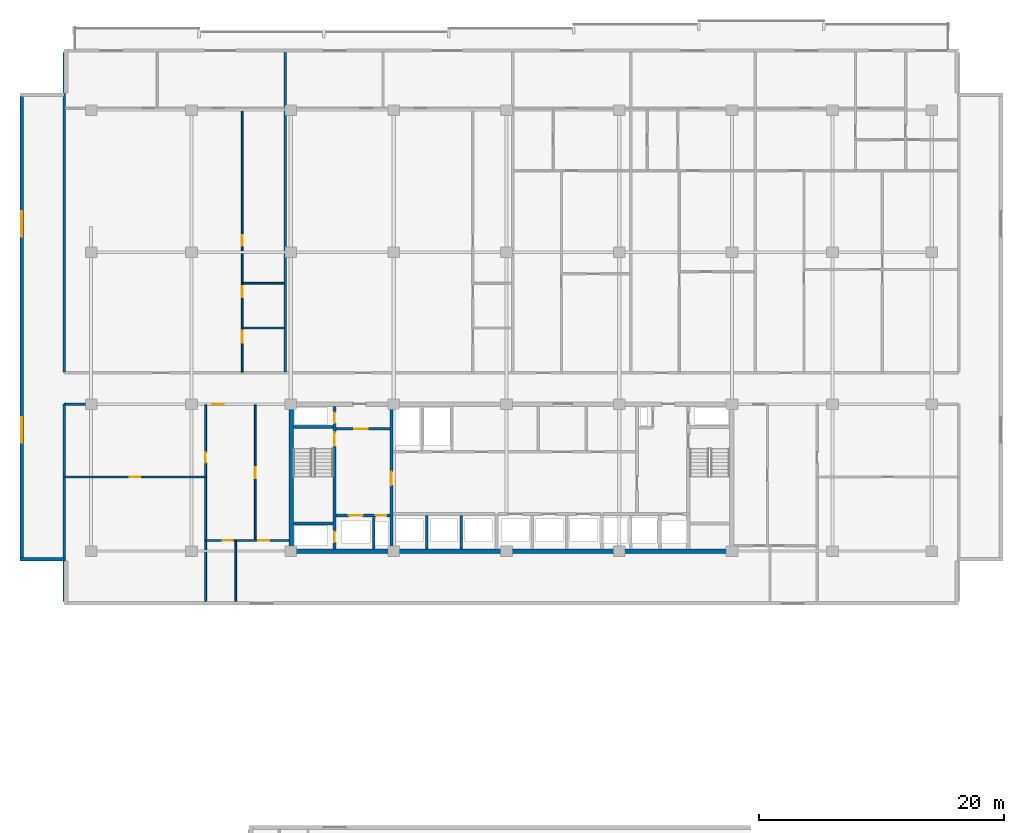
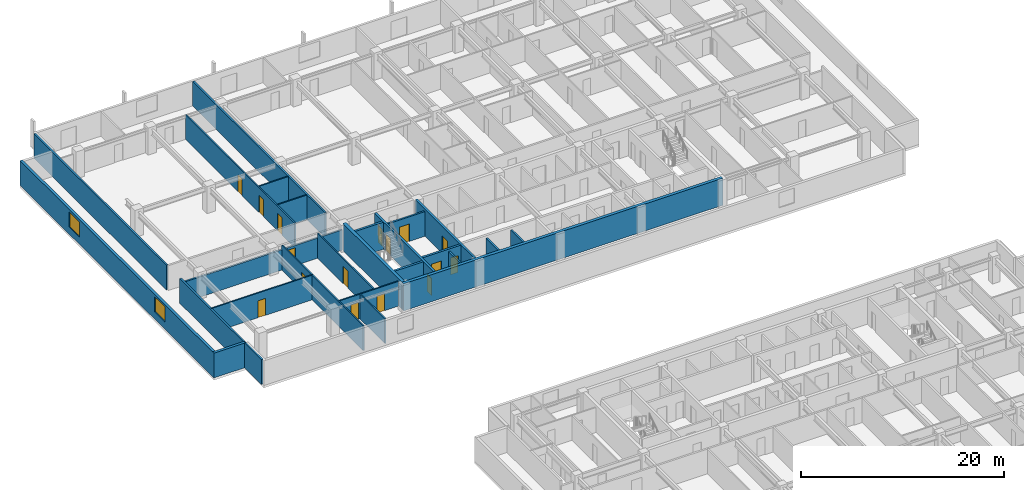
# One storey, part 10 of 21: 25 walls, 16 doors, 2 windows, 18 openings.
"""IFC4 building model written with IfcOpenShell, lengths in metres."""

from ifc_helpers import new_model, si_unit, direction, frame, frame_2d, origin, place, context, subcontext, project, spatial, rectangle, extrude, material, layer, layer_set, type_object, element, fill, save


model = new_model("IFC4")

# Units and contexts
model_context = context("Model", 3, precision=1e-05, world=origin(), true_north=direction((0.0, 1.0)))
body_context = subcontext(model_context, "Body", "Model", "MODEL_VIEW")
ifc_project = project(units=[si_unit("LENGTHUNIT", "METRE"), si_unit("AREAUNIT", "SQUARE_METRE"), si_unit("VOLUMEUNIT", "CUBIC_METRE"), si_unit("PLANEANGLEUNIT", "RADIAN"), si_unit("MASSUNIT", "GRAM", prefix="KILO")], contexts=[model_context])

# Site, building, storey
site_placement = place(None, origin())
site = spatial("IfcSite", under=ifc_project, at=site_placement, CompositionType="ELEMENT")
building_placement = place(site_placement, origin())
building = spatial("IfcBuilding", under=site, at=building_placement, Name="Korimba Cascade Residences", CompositionType="ELEMENT")
storey_placement = place(building_placement, frame((0.0, 0.0, 97.050048828125)))
storey = spatial("IfcBuildingStorey", under=building, at=storey_placement, Name="L27", CompositionType="ELEMENT", Elevation=97.050048828125)

# Wall, openings, windows
ifc_material_1 = material(Name="Precast concrete C40/50", Category="concrete")
ifc_layer_1 = layer(ifc_material_1, 0.300048828125)
ifc_layer_set_1 = layer_set([ifc_layer_1], Name="Precast concrete C40/50")
wall_type_1 = type_object("IfcWallType", Name="EW-STONE-300", PredefinedType="STANDARD", material=ifc_layer_set_1)
wall_1_placement = place(storey_placement, frame((54.14990234375, 92.60009765625, 0.0), z_axis=(0.0, 0.0, 1.0), x_axis=(0.0, -1.0, 0.0)))
wall_1 = element("IfcWall", 1, at=wall_1_placement, inside=storey, type_object=wall_type_1, Name="L27 T1 Perimeter Stone Wall E09", PredefinedType="STANDARD", context=body_context, shape_type="SweptSolid", body=[
    extrude(rectangle(XDim=38.2001953125, YDim=0.300048828125, at=frame_2d((19.10009765625, 0.0))), origin(), (0.0, 0.0, 1.0), 2.969970703125),
])
opening_1_placement = place(wall_1_placement, frame((9.64599609375, 0.0, 0.85009765625)))
opening_1 = element("IfcOpeningElement", 2, at=opening_1_placement, cuts=wall_1, Name="Opening W-03", PredefinedType="OPENING", context=body_context, shape_type="SweptSolid", body=[
    extrude(rectangle(XDim=2.10009765625, YDim=1.85009765625, at=frame_2d((1.050048828125, 0.925048828125))), frame((0.0, 0.16015625, 0.0), z_axis=(0.0, -1.0, 0.0), x_axis=(1.0, 0.0, 0.0)), (0.0, 0.0, 1.0), 0.320068359375),
])
opening_2_placement = place(wall_1_placement, frame((26.4541015625, 0.0, 0.85009765625)))
opening_2 = element("IfcOpeningElement", 3, at=opening_2_placement, cuts=wall_1, Name="Opening W-03", PredefinedType="OPENING", context=body_context, shape_type="SweptSolid", body=[
    extrude(rectangle(XDim=2.10009765625, YDim=1.85009765625, at=frame_2d((1.050048828125, 0.925048828125))), frame((0.0, 0.16015625, 0.0), z_axis=(0.0, -1.0, 0.0), x_axis=(1.0, 0.0, 0.0)), (0.0, 0.0, 1.0), 0.320068359375),
])
ifc_material_2 = material(Name="Double-Glazed Aluminium Window", Category="aluminium")
window_type = type_object("IfcWindowType", Name="WIN-CRN-2100", PartitioningType="DOUBLE_PANEL_HORIZONTAL", PredefinedType="WINDOW", material=ifc_material_2)
window_1_placement = place(opening_1_placement, origin())
window_1 = element("IfcWindow", 4, at=window_1_placement, inside=storey, type_object=window_type, Name="L27 T1 End View Window 9.1", OverallHeight=1.85009765625, OverallWidth=2.10009765625, PartitioningType="DOUBLE_PANEL_HORIZONTAL", PredefinedType="WINDOW", context=body_context, shape_type="SweptSolid", body=[
    extrude(rectangle(XDim=2.10009765625, YDim=1.85009765625, at=frame_2d((1.050048828125, 0.925048828125))), frame((0.0, 0.030029296875, 0.0), z_axis=(0.0, -1.0, 0.0), x_axis=(1.0, 0.0, 0.0)), (0.0, 0.0, 1.0), 0.06005859375),
])
fill(opening_1, window_1)
window_2_placement = place(opening_2_placement, origin())
window_2 = element("IfcWindow", 5, at=window_2_placement, inside=storey, type_object=window_type, Name="L27 T1 End View Window 9.2", OverallHeight=1.85009765625, OverallWidth=2.10009765625, PartitioningType="DOUBLE_PANEL_HORIZONTAL", PredefinedType="WINDOW", context=body_context, shape_type="SweptSolid", body=[
    extrude(rectangle(XDim=2.10009765625, YDim=1.85009765625, at=frame_2d((1.050048828125, 0.925048828125))), frame((0.0, 0.030029296875, 0.0), z_axis=(0.0, -1.0, 0.0), x_axis=(1.0, 0.0, 0.0)), (0.0, 0.0, 1.0), 0.06005859375),
])
fill(opening_2, window_2)

# Walls
wall_2_placement = place(storey_placement, frame((54.0, 54.550048828125, 0.0), z_axis=(0.0, 0.0, 1.0), x_axis=(1.0, 0.0, 0.0)))
element("IfcWall", 6, at=wall_2_placement, inside=storey, type_object=wall_type_1, Name="L27 T1 Perimeter Stone Wall E10", PredefinedType="STANDARD", context=body_context, shape_type="SweptSolid", body=[
    extrude(rectangle(XDim=3.60009765625, YDim=0.300048828125, at=frame_2d((1.800048828125, 0.0))), origin(), (0.0, 0.0, 1.0), 2.969970703125),
])
ifc_material_3 = material(Name="Concrete C65/80", Category="concrete")
ifc_layer_2 = layer(ifc_material_3, 0.35009765625)
ifc_layer_set_2 = layer_set([ifc_layer_2], Name="Concrete C65/80")
wall_type_2 = type_object("IfcWallType", Name="WAL-CORE-350", PredefinedType="SHEAR", material=ifc_layer_set_2)
wall_3_placement = place(storey_placement, frame((75.949951171875, 55.199951171875, 0.0), z_axis=(0.0, 0.0, 1.0), x_axis=(1.0, 0.0, 0.0)))
element("IfcWall", 7, at=wall_3_placement, inside=storey, type_object=wall_type_2, Name="L27 Core Shear Wall CW-L27-T1-S", PredefinedType="SHEAR", context=body_context, shape_type="SweptSolid", body=[
    extrude(rectangle(XDim=36.300048828125, YDim=0.35009765625, at=frame_2d((18.14990234375, 0.0))), origin(), (0.0, 0.0, 1.0), 3.25),
])
wall_4_placement = place(storey_placement, frame((76.125, 55.375, 0.0), z_axis=(0.0, 0.0, 1.0), x_axis=(0.0, 1.0, 0.0)))
element("IfcWall", 8, at=wall_4_placement, inside=storey, type_object=wall_type_2, Name="L27 Core Shear Wall CW-L27-T1-W", PredefinedType="SHEAR", context=body_context, shape_type="SweptSolid", body=[
    extrude(rectangle(XDim=11.64990234375, YDim=0.35009765625, at=frame_2d((5.824951171875, 0.0))), origin(), (0.0, 0.0, 1.0), 3.25),
])
ifc_layer_3 = layer(ifc_material_1, 0.199951171875)
ifc_layer_set_3 = layer_set([ifc_layer_3], Name="Precast concrete C40/50")
wall_type_3 = type_object("IfcWallType", Name="WAL-IT-200", PredefinedType="PARTITIONING", material=ifc_layer_set_3)
wall_5_placement = place(storey_placement, frame((57.60009765625, 51.10009765625, 0.0), z_axis=(0.0, 0.0, 1.0), x_axis=(0.0, 1.0, 0.0)))
element("IfcWall", 9, at=wall_5_placement, inside=storey, type_object=wall_type_3, Name="L27 Partition Wall WAL-L27-T1-FW-WL", PredefinedType="PARTITIONING", context=body_context, shape_type="SweptSolid", body=[
    extrude(rectangle(XDim=16.099853515625, YDim=0.199951171875, at=frame_2d((8.0498046875, 0.0))), origin(), (0.0, 0.0, 1.0), 2.969970703125),
])

# Wall, opening, door
wall_6_placement = place(storey_placement, frame((57.60009765625, 67.199951171875, 0.0), z_axis=(0.0, 0.0, 1.0), x_axis=(1.0, 0.0, 0.0)))
wall_6 = element("IfcWall", 10, at=wall_6_placement, inside=storey, type_object=wall_type_3, Name="L27 Partition Wall WAL-L27-T1-FW-N", PredefinedType="PARTITIONING", context=body_context, shape_type="SweptSolid", body=[
    extrude(rectangle(XDim=18.349853515625, YDim=0.199951171875, at=frame_2d((9.1748046875, 0.0))), origin(), (0.0, 0.0, 1.0), 2.433349609375),
])
opening_3_placement = place(wall_6_placement, frame((12.07470703125, 0.0, 0.0)))
opening_3 = element("IfcOpeningElement", 11, at=opening_3_placement, cuts=wall_6, Name="Opening D-UN1", PredefinedType="OPENING", context=body_context, shape_type="SweptSolid", body=[
    extrude(rectangle(XDim=0.949951171875, YDim=2.14990234375, at=frame_2d((0.47509765625, 1.074951171875))), frame((0.0, 0.10986328125, 0.0), z_axis=(0.0, -1.0, 0.0), x_axis=(1.0, 0.0, 0.0)), (0.0, 0.0, 1.0), 0.219970703125),
])
ifc_material_4 = material(Name="Fire-Rated Hardwood Apartment Entrance Door", Category="wood")
door_type_1 = type_object("IfcDoorType", Name="DR-FD60-950", OperationType="NOTDEFINED", PredefinedType="DOOR", material=ifc_material_4)
door_1_placement = place(opening_3_placement, origin())
door_1 = element("IfcDoor", 12, at=door_1_placement, inside=storey, type_object=door_type_1, Name="L27-T1-FW Entrance Door", OperationType="SINGLE_SWING_LEFT", OverallHeight=2.14990234375, OverallWidth=0.949951171875, PredefinedType="DOOR", context=body_context, shape_type="SweptSolid", body=[
    extrude(rectangle(XDim=0.949951171875, YDim=2.14990234375, at=frame_2d((0.47509765625, 1.074951171875))), frame((0.0, 0.02490234375, 0.0), z_axis=(0.0, -1.0, 0.0), x_axis=(1.0, 0.0, 0.0)), (0.0, 0.0, 1.0), 0.050048828125),
])
fill(opening_3, door_1)

# Walls
for number, where, z_axis, x_axis, name in (
    (13, (57.60009765625, 69.830078125, 0.0), (0.0, 0.0, 1.0), (0.0, 1.0, 0.0), "L27 Partition Wall WAL-L27-T1-BNDWL"),
    (14, (75.632080078125, 69.830078125, 0.0), (0.0, 0.0, 1.0), (0.0, 1.0, 0.0), "L27 Partition Wall WAL-L27-T1-DEM-1"),
):
    element("IfcWall", number, at=place(storey_placement, frame(where, z_axis=z_axis, x_axis=x_axis)), inside=storey, type_object=wall_type_3, Name=name, PredefinedType="PARTITIONING", context=body_context, shape_type="SweptSolid", body=[
        extrude(rectangle(XDim=26.06982421875, YDim=0.199951171875, at=frame_2d((13.034912109375, 0.0))), origin(), (0.0, 0.0, 1.0), 2.969970703125),
    ])

# Wall, opening, door
ifc_material_5 = material(Name="Insulated Acoustic Stud Partition", Category="gypsum")
ifc_layer_4 = layer(ifc_material_5, 0.14990234375)
ifc_layer_set_4 = layer_set([ifc_layer_4], Name="Insulated Acoustic Stud Partition")
wall_type_4 = type_object("IfcWallType", Name="WAL-PART-150", PredefinedType="PARTITIONING", material=ifc_layer_set_4)
wall_7_placement = place(storey_placement, frame((57.60009765625, 61.25, 0.0), z_axis=(0.0, 0.0, 1.0), x_axis=(1.0, 0.0, 0.0)))
wall_7 = element("IfcWall", 15, at=wall_7_placement, inside=storey, type_object=wall_type_4, Name="L27 Partition Wall WAL-L27-T1-FW-STH", PredefinedType="PARTITIONING", context=body_context, shape_type="SweptSolid", body=[
    extrude(rectangle(XDim=11.5498046875, YDim=0.14990234375, at=frame_2d((5.77490234375, 0.0))), origin(), (0.0, 0.0, 1.0), 2.969970703125),
])
opening_4_placement = place(wall_7_placement, frame((5.35498046875, 0.0, 0.0)))
opening_4 = element("IfcOpeningElement", 16, at=opening_4_placement, cuts=wall_7, Name="Opening D-BT1", PredefinedType="OPENING", context=body_context, shape_type="SweptSolid", body=[
    extrude(rectangle(XDim=0.840087890625, YDim=2.0400390625, at=frame_2d((0.419921875, 1.02001953125))), frame((0.0, 0.0849609375, 0.0), z_axis=(0.0, -1.0, 0.0), x_axis=(1.0, 0.0, 0.0)), (0.0, 0.0, 1.0), 0.169921875),
])
ifc_material_6 = material(Name="Moisture-Resistant Bathroom Timber Door", Category="wood")
door_type_2 = type_object("IfcDoorType", Name="DR-INT-850", OperationType="NOTDEFINED", PredefinedType="DOOR", material=ifc_material_6)
door_2_placement = place(opening_4_placement, origin())
door_2 = element("IfcDoor", 17, at=door_2_placement, inside=storey, type_object=door_type_2, Name="L27-T1-FW Dressing Store Door", OperationType="SINGLE_SWING_RIGHT", OverallHeight=2.0400390625, OverallWidth=0.840087890625, PredefinedType="DOOR", context=body_context, shape_type="SweptSolid", body=[
    extrude(rectangle(XDim=0.840087890625, YDim=2.0400390625, at=frame_2d((0.419921875, 1.02001953125))), frame((0.0, 0.02490234375, 0.0), z_axis=(0.0, -1.0, 0.0), x_axis=(1.0, 0.0, 0.0)), (0.0, 0.0, 1.0), 0.050048828125),
])
fill(opening_4, door_2)

wall_8_placement = place(storey_placement, frame((69.14990234375, 51.10009765625, 0.0), z_axis=(0.0, 0.0, 1.0), x_axis=(0.0, 1.0, 0.0)))
wall_8 = element("IfcWall", 18, at=wall_8_placement, inside=storey, type_object=wall_type_4, Name="L27 Partition Wall WAL-L27-T1-FW-STV", PredefinedType="PARTITIONING", context=body_context, shape_type="SweptSolid", body=[
    extrude(rectangle(XDim=16.0498046875, YDim=0.14990234375, at=frame_2d((8.02490234375, 0.0))), origin(), (0.0, 0.0, 1.0), 2.969970703125),
])
opening_5_placement = place(wall_8_placement, frame((11.300048828125, 0.0, 0.0)))
opening_5 = element("IfcOpeningElement", 19, at=opening_5_placement, cuts=wall_8, Name="Opening D-IN2", PredefinedType="OPENING", context=body_context, shape_type="SweptSolid", body=[
    extrude(rectangle(XDim=0.8798828125, YDim=2.06005859375, at=frame_2d((0.43994140625, 1.030029296875))), frame((0.0, 0.0849609375, 0.0), z_axis=(0.0, -1.0, 0.0), x_axis=(1.0, 0.0, 0.0)), (0.0, 0.0, 1.0), 0.169921875),
])
ifc_material_7 = material(Name="Acoustic Timber Bedroom Door", Category="wood")
door_type_3 = type_object("IfcDoorType", Name="DR-INT-880", OperationType="NOTDEFINED", PredefinedType="DOOR", material=ifc_material_7)
door_3_placement = place(opening_5_placement, origin())
door_3 = element("IfcDoor", 20, at=door_3_placement, inside=storey, type_object=door_type_3, Name="L27-T1-FW Study Door", OperationType="SINGLE_SWING_LEFT", OverallHeight=2.06005859375, OverallWidth=0.8798828125, PredefinedType="DOOR", context=body_context, shape_type="SweptSolid", body=[
    extrude(rectangle(XDim=0.8798828125, YDim=2.06005859375, at=frame_2d((0.43994140625, 1.030029296875))), frame((0.0, 0.02490234375, 0.0), z_axis=(0.0, -1.0, 0.0), x_axis=(1.0, 0.0, 0.0)), (0.0, 0.0, 1.0), 0.050048828125),
])
fill(opening_5, door_3)

wall_9_placement = place(storey_placement, frame((73.199951171875, 56.070068359375, 0.0), z_axis=(0.0, 0.0, 1.0), x_axis=(0.0, 1.0, 0.0)))
wall_9 = element("IfcWall", 21, at=wall_9_placement, inside=storey, type_object=wall_type_4, Name="L27 Partition Wall WAL-L27-T1-FW-VN", PredefinedType="PARTITIONING", context=body_context, shape_type="SweptSolid", body=[
    extrude(rectangle(XDim=11.079833984375, YDim=0.14990234375, at=frame_2d((5.5400390625, 0.0))), origin(), (0.0, 0.0, 1.0), 2.969970703125),
])
opening_6_placement = place(wall_9_placement, frame((5.080078125, 0.0, 0.0)))
opening_6 = element("IfcOpeningElement", 22, at=opening_6_placement, cuts=wall_9, Name="Opening D-IN1", PredefinedType="OPENING", context=body_context, shape_type="SweptSolid", body=[
    extrude(rectangle(XDim=0.919921875, YDim=2.080078125, at=frame_2d((0.4599609375, 1.0400390625))), frame((0.0, 0.0849609375, 0.0), z_axis=(0.0, -1.0, 0.0), x_axis=(1.0, 0.0, 0.0)), (0.0, 0.0, 1.0), 0.169921875),
])
ifc_material_8 = material(Name="Acoustic Timber Living Door", Category="wood")
door_type_4 = type_object("IfcDoorType", Name="DR-INT-920", OperationType="NOTDEFINED", PredefinedType="DOOR", material=ifc_material_8)
door_4_placement = place(opening_6_placement, origin())
door_4 = element("IfcDoor", 23, at=door_4_placement, inside=storey, type_object=door_type_4, Name="L27-T1-FW Living Door", OperationType="SINGLE_SWING_RIGHT", OverallHeight=2.080078125, OverallWidth=0.919921875, PredefinedType="DOOR", context=body_context, shape_type="SweptSolid", body=[
    extrude(rectangle(XDim=0.919921875, YDim=2.080078125, at=frame_2d((0.4599609375, 1.0400390625))), frame((0.0, 0.02490234375, 0.0), z_axis=(0.0, -1.0, 0.0), x_axis=(1.0, 0.0, 0.0)), (0.0, 0.0, 1.0), 0.050048828125),
])
fill(opening_6, door_4)

# Wall
wall_10_placement = place(storey_placement, frame((71.60009765625, 51.10009765625, 0.0), z_axis=(0.0, 0.0, 1.0), x_axis=(0.0, 1.0, 0.0)))
element("IfcWall", 24, at=wall_10_placement, inside=storey, type_object=wall_type_4, Name="L27 Partition Wall WAL-L27-T1-FW-VS", PredefinedType="PARTITIONING", context=body_context, shape_type="SweptSolid", body=[
    extrude(rectangle(XDim=4.969970703125, YDim=0.14990234375, at=frame_2d((2.48486328125, 0.0))), origin(), (0.0, 0.0, 1.0), 2.969970703125),
])

# Wall, openings, doors
wall_11_placement = place(storey_placement, frame((69.169921875, 56.070068359375, 0.0), z_axis=(0.0, 0.0, 1.0), x_axis=(1.0, 0.0, 0.0)))
wall_11 = element("IfcWall", 25, at=wall_11_placement, inside=storey, type_object=wall_type_4, Name="L27 Partition Wall WAL-L27-T1-FW-H", PredefinedType="PARTITIONING", context=body_context, shape_type="SweptSolid", body=[
    extrude(rectangle(XDim=6.760009765625, YDim=0.14990234375, at=frame_2d((3.3798828125, 0.0))), origin(), (0.0, 0.0, 1.0), 2.969970703125),
])
opening_7_placement = place(wall_11_placement, frame((1.3623046875, 0.0, 0.0)))
opening_7 = element("IfcOpeningElement", 26, at=opening_7_placement, cuts=wall_11, Name="Opening D-BT1", PredefinedType="OPENING", context=body_context, shape_type="SweptSolid", body=[
    extrude(rectangle(XDim=0.840087890625, YDim=2.0400390625, at=frame_2d((0.419921875, 1.02001953125))), frame((0.0, 0.0849609375, 0.0), z_axis=(0.0, -1.0, 0.0), x_axis=(1.0, 0.0, 0.0)), (0.0, 0.0, 1.0), 0.169921875),
])
opening_8_placement = place(wall_11_placement, frame((4.276611328125, 0.0, 0.0)))
opening_8 = element("IfcOpeningElement", 27, at=opening_8_placement, cuts=wall_11, Name="Opening D-IN2", PredefinedType="OPENING", context=body_context, shape_type="SweptSolid", body=[
    extrude(rectangle(XDim=0.8798828125, YDim=2.06005859375, at=frame_2d((0.43994140625, 1.030029296875))), frame((0.0, 0.0849609375, 0.0), z_axis=(0.0, -1.0, 0.0), x_axis=(1.0, 0.0, 0.0)), (0.0, 0.0, 1.0), 0.169921875),
])
door_5_placement = place(opening_7_placement, origin())
door_5 = element("IfcDoor", 28, at=door_5_placement, inside=storey, type_object=door_type_2, Name="L27-T1-FW Bathroom Door", OperationType="SINGLE_SWING_LEFT", OverallHeight=2.0400390625, OverallWidth=0.840087890625, PredefinedType="DOOR", context=body_context, shape_type="SweptSolid", body=[
    extrude(rectangle(XDim=0.840087890625, YDim=2.0400390625, at=frame_2d((0.419921875, 1.02001953125))), frame((0.0, 0.02490234375, 0.0), z_axis=(0.0, -1.0, 0.0), x_axis=(1.0, 0.0, 0.0)), (0.0, 0.0, 1.0), 0.050048828125),
])
fill(opening_7, door_5)
door_6_placement = place(opening_8_placement, origin())
door_6 = element("IfcDoor", 29, at=door_6_placement, inside=storey, type_object=door_type_3, Name="L27-T1-FW Bedroom Door", OperationType="SINGLE_SWING_RIGHT", OverallHeight=2.06005859375, OverallWidth=0.8798828125, PredefinedType="DOOR", context=body_context, shape_type="SweptSolid", body=[
    extrude(rectangle(XDim=0.8798828125, YDim=2.06005859375, at=frame_2d((0.43994140625, 1.030029296875))), frame((0.0, 0.02490234375, 0.0), z_axis=(0.0, -1.0, 0.0), x_axis=(1.0, 0.0, 0.0)), (0.0, 0.0, 1.0), 0.050048828125),
])
fill(opening_8, door_6)

# Walls
for number, where, z_axis, x_axis, name in (
    (30, (72.192138671875, 73.419921875, 0.0), (0.0, 0.0, 1.0), (1.0, 0.0, 0.0), "L27 Partition Wall WAL-L27-T1-U01-WCH"),
    (31, (72.192138671875, 77.070068359375, 0.0), (0.0, 0.0, 1.0), (1.0, 0.0, 0.0), "L27 Partition Wall WAL-L27-T1-U01-WCH2"),
):
    element("IfcWall", number, at=place(storey_placement, frame(where, z_axis=z_axis, x_axis=x_axis)), inside=storey, type_object=wall_type_4, Name=name, PredefinedType="PARTITIONING", context=body_context, shape_type="SweptSolid", body=[
        extrude(rectangle(XDim=3.35986328125, YDim=0.14990234375, at=frame_2d((1.679931640625, 0.0))), origin(), (0.0, 0.0, 1.0), 2.969970703125),
    ])

# Wall, openings, doors
wall_12_placement = place(storey_placement, frame((72.132080078125, 69.81005859375, 0.0), z_axis=(0.0, 0.0, 1.0), x_axis=(0.0, 1.0, 0.0)))
wall_12 = element("IfcWall", 32, at=wall_12_placement, inside=storey, type_object=wall_type_4, Name="L27 Partition Wall WAL-L27-T1-U01-WCV", PredefinedType="PARTITIONING", context=body_context, shape_type="SweptSolid", body=[
    extrude(rectangle(XDim=21.47998046875, YDim=0.14990234375, at=frame_2d((10.739990234375, 0.0))), origin(), (0.0, 0.0, 1.0), 2.969970703125),
])
opening_9_placement = place(wall_12_placement, frame((2.406005859375, 0.0, 0.0)))
opening_9 = element("IfcOpeningElement", 33, at=opening_9_placement, cuts=wall_12, Name="Opening D-AC1", PredefinedType="OPENING", context=body_context, shape_type="SweptSolid", body=[
    extrude(rectangle(XDim=0.9599609375, YDim=2.10009765625, at=frame_2d((0.47998046875, 1.050048828125))), frame((0.0, 0.0849609375, 0.0), z_axis=(0.0, -1.0, 0.0), x_axis=(1.0, 0.0, 0.0)), (0.0, 0.0, 1.0), 0.169921875),
])
opening_10_placement = place(wall_12_placement, frame((6.132568359375, 0.0, 0.0)))
opening_10 = element("IfcOpeningElement", 34, at=opening_10_placement, cuts=wall_12, Name="Opening D-IN2", PredefinedType="OPENING", context=body_context, shape_type="SweptSolid", body=[
    extrude(rectangle(XDim=0.8798828125, YDim=2.06005859375, at=frame_2d((0.43994140625, 1.030029296875))), frame((0.0, 0.0849609375, 0.0), z_axis=(0.0, -1.0, 0.0), x_axis=(1.0, 0.0, 0.0)), (0.0, 0.0, 1.0), 0.169921875),
])
opening_11_placement = place(wall_12_placement, frame((10.320068359375, 0.0, 0.0)))
opening_11 = element("IfcOpeningElement", 35, at=opening_11_placement, cuts=wall_12, Name="Opening D-BT1", PredefinedType="OPENING", context=body_context, shape_type="SweptSolid", body=[
    extrude(rectangle(XDim=0.840087890625, YDim=2.0400390625, at=frame_2d((0.419921875, 1.02001953125))), frame((0.0, 0.0849609375, 0.0), z_axis=(0.0, -1.0, 0.0), x_axis=(1.0, 0.0, 0.0)), (0.0, 0.0, 1.0), 0.169921875),
])
ifc_material_9 = material(Name="Accessible Acoustic Timber WC Door", Category="wood")
door_type_5 = type_object("IfcDoorType", Name="DR-ACC-950", OperationType="NOTDEFINED", PredefinedType="DOOR", material=ifc_material_9)
door_7_placement = place(opening_9_placement, origin())
door_7 = element("IfcDoor", 36, at=door_7_placement, inside=storey, type_object=door_type_5, Name="L27-T1-U01 Accessible WC Door", OperationType="SINGLE_SWING_RIGHT", OverallHeight=2.10009765625, OverallWidth=0.9599609375, PredefinedType="DOOR", context=body_context, shape_type="SweptSolid", body=[
    extrude(rectangle(XDim=0.9599609375, YDim=2.10009765625, at=frame_2d((0.47998046875, 1.050048828125))), frame((0.0, 0.02490234375, 0.0), z_axis=(0.0, -1.0, 0.0), x_axis=(1.0, 0.0, 0.0)), (0.0, 0.0, 1.0), 0.050048828125),
])
fill(opening_9, door_7)
door_8_placement = place(opening_11_placement, origin())
door_8 = element("IfcDoor", 37, at=door_8_placement, inside=storey, type_object=door_type_2, Name="L27-T1-U01 Suite Store Door", OperationType="SINGLE_SWING_RIGHT", OverallHeight=2.0400390625, OverallWidth=0.840087890625, PredefinedType="DOOR", context=body_context, shape_type="SweptSolid", body=[
    extrude(rectangle(XDim=0.840087890625, YDim=2.0400390625, at=frame_2d((0.419921875, 1.02001953125))), frame((0.0, 0.02490234375, 0.0), z_axis=(0.0, -1.0, 0.0), x_axis=(1.0, 0.0, 0.0)), (0.0, 0.0, 1.0), 0.050048828125),
])
fill(opening_11, door_8)
door_9_placement = place(opening_10_placement, origin())
door_9 = element("IfcDoor", 38, at=door_9_placement, inside=storey, type_object=door_type_3, Name="L27-T1-U01 Restroom WC Door", OperationType="SINGLE_SWING_LEFT", OverallHeight=2.06005859375, OverallWidth=0.8798828125, PredefinedType="DOOR", context=body_context, shape_type="SweptSolid", body=[
    extrude(rectangle(XDim=0.8798828125, YDim=2.06005859375, at=frame_2d((0.43994140625, 1.030029296875))), frame((0.0, 0.02490234375, 0.0), z_axis=(0.0, -1.0, 0.0), x_axis=(1.0, 0.0, 0.0)), (0.0, 0.0, 1.0), 0.050048828125),
])
fill(opening_10, door_9)

# Wall
ifc_material_10 = material(Name="Concrete C40/50", Category="concrete")
ifc_layer_5 = layer(ifc_material_10, 0.199951171875)
ifc_layer_set_5 = layer_set([ifc_layer_5], Name="Concrete C40/50")
wall_type_5 = type_object("IfcWallType", Name="WAL-PART-200", PredefinedType="PARTITIONING", material=ifc_layer_set_5)
wall_13_placement = place(storey_placement, frame((82.85009765625, 55.39990234375, 0.0), z_axis=(0.0, 0.0, 1.0), x_axis=(0.0, 1.0, 0.0)))
element("IfcWall", 39, at=wall_13_placement, inside=storey, type_object=wall_type_5, Name="L27 Partition Wall CW-L27-T1-FFLDIV", PredefinedType="PARTITIONING", context=body_context, shape_type="SweptSolid", body=[
    extrude(rectangle(XDim=2.56005859375, YDim=0.199951171875, at=frame_2d((1.280029296875, 0.0))), origin(), (0.0, 0.0, 1.0), 2.969970703125),
])

# Wall, opening, door
wall_14_placement = place(storey_placement, frame((79.7900390625, 65.179931640625, 0.0), z_axis=(0.0, 0.0, 1.0), x_axis=(1.0, 0.0, 0.0)))
wall_14 = element("IfcWall", 40, at=wall_14_placement, inside=storey, type_object=wall_type_5, Name="L27 Partition Wall CW-L27-T1-FFLN", PredefinedType="PARTITIONING", context=body_context, shape_type="SweptSolid", body=[
    extrude(rectangle(XDim=4.389892578125, YDim=0.199951171875, at=frame_2d((2.19482421875, 0.0))), origin(), (0.0, 0.0, 1.0), 2.969970703125),
])
opening_12_placement = place(wall_14_placement, frame((1.5, 0.0, 0.0)))
opening_12 = element("IfcOpeningElement", 41, at=opening_12_placement, cuts=wall_14, Name="Opening D-FD1", PredefinedType="OPENING", context=body_context, shape_type="SweptSolid", body=[
    extrude(rectangle(XDim=1.10009765625, YDim=2.10009765625, at=frame_2d((0.550048828125, 1.050048828125))), frame((0.0, 0.10986328125, 0.0), z_axis=(0.0, -1.0, 0.0), x_axis=(1.0, 0.0, 0.0)), (0.0, 0.0, 1.0), 0.219970703125),
])
ifc_material_11 = material(Name="Fire-Rated Steel Core Door", Category="steel")
door_type_6 = type_object("IfcDoorType", Name="DR-FD120-1100", OperationType="NOTDEFINED", PredefinedType="DOOR", material=ifc_material_11)
door_10_placement = place(opening_12_placement, origin())
door_10 = element("IfcDoor", 42, at=door_10_placement, inside=storey, type_object=door_type_6, Name="L27 West Firefighting Lobby Door", OperationType="SINGLE_SWING_RIGHT", OverallHeight=2.10009765625, OverallWidth=1.10009765625, PredefinedType="DOOR", context=body_context, shape_type="SweptSolid", body=[
    extrude(rectangle(XDim=1.10009765625, YDim=2.10009765625, at=frame_2d((0.550048828125, 1.050048828125))), frame((0.0, 0.02490234375, 0.0), z_axis=(0.0, -1.0, 0.0), x_axis=(1.0, 0.0, 0.0)), (0.0, 0.0, 1.0), 0.050048828125),
])
fill(opening_12, door_10)

# Walls
for number, where, z_axis, x_axis, name in (
    (43, (87.199951171875, 55.39990234375, 0.0), (0.0, 0.0, 1.0), (0.0, 1.0, 0.0), "L27 Partition Wall CW-L27-T1-B1D1"),
    (44, (90.0, 55.39990234375, 0.0), (0.0, 0.0, 1.0), (0.0, 1.0, 0.0), "L27 Partition Wall CW-L27-T1-B1D2"),
):
    element("IfcWall", number, at=place(storey_placement, frame(where, z_axis=z_axis, x_axis=x_axis)), inside=storey, type_object=wall_type_5, Name=name, PredefinedType="PARTITIONING", context=body_context, shape_type="SweptSolid", body=[
        extrude(rectangle(XDim=2.72021484375, YDim=0.199951171875, at=frame_2d((1.360107421875, 0.0))), origin(), (0.0, 0.0, 1.0), 2.969970703125),
    ])

# Wall, openings, doors
ifc_material_12 = material(Name="Concrete C50/60", Category="concrete")
ifc_layer_6 = layer(ifc_material_12, 0.25)
ifc_layer_set_6 = layer_set([ifc_layer_6], Name="Concrete C50/60")
wall_type_6 = type_object("IfcWallType", Name="WAL-SHAFT-250", PredefinedType="SHEAR", material=ifc_layer_set_6)
wall_15_placement = place(storey_placement, frame((79.6650390625, 55.39990234375, 0.0), z_axis=(0.0, 0.0, 1.0), x_axis=(0.0, 1.0, 0.0)))
wall_15 = element("IfcWall", 45, at=wall_15_placement, inside=storey, type_object=wall_type_6, Name="L27 Core Shear Wall CW-L27-T1-STW1E", PredefinedType="SHEAR", context=body_context, shape_type="SweptSolid", body=[
    extrude(rectangle(XDim=11.60009765625, YDim=0.25, at=frame_2d((5.800048828125, 0.0))), origin(), (0.0, 0.0, 1.0), 3.25),
])
opening_13_placement = place(wall_15_placement, frame((0.550048828125, 0.0, 0.0)))
opening_13 = element("IfcOpeningElement", 46, at=opening_13_placement, cuts=wall_15, Name="Opening D-RS1", PredefinedType="OPENING", context=body_context, shape_type="SweptSolid", body=[
    extrude(rectangle(XDim=0.85009765625, YDim=2.050048828125, at=frame_2d((0.425048828125, 1.02490234375))), frame((0.0, 0.135009765625, 0.0), z_axis=(0.0, -1.0, 0.0), x_axis=(1.0, 0.0, 0.0)), (0.0, 0.0, 1.0), 0.27001953125),
])
opening_14_placement = place(wall_15_placement, frame((8.39990234375, 0.0, 0.0)))
opening_14 = element("IfcOpeningElement", 47, at=opening_14_placement, cuts=wall_15, Name="Opening D-FD1", PredefinedType="OPENING", context=body_context, shape_type="SweptSolid", body=[
    extrude(rectangle(XDim=1.10009765625, YDim=2.10009765625, at=frame_2d((0.550048828125, 1.050048828125))), frame((0.0, 0.135009765625, 0.0), z_axis=(0.0, -1.0, 0.0), x_axis=(1.0, 0.0, 0.0)), (0.0, 0.0, 1.0), 0.27001953125),
])
opening_15_placement = place(wall_15_placement, frame((10.25, 0.0, 0.0)))
opening_15 = element("IfcOpeningElement", 48, at=opening_15_placement, cuts=wall_15, Name="Opening D-RS1", PredefinedType="OPENING", context=body_context, shape_type="SweptSolid", body=[
    extrude(rectangle(XDim=0.85009765625, YDim=2.050048828125, at=frame_2d((0.425048828125, 1.02490234375))), frame((0.0, 0.135009765625, 0.0), z_axis=(0.0, -1.0, 0.0), x_axis=(1.0, 0.0, 0.0)), (0.0, 0.0, 1.0), 0.27001953125),
])
door_11_placement = place(opening_14_placement, origin())
door_11 = element("IfcDoor", 49, at=door_11_placement, inside=storey, type_object=door_type_6, Name="L27 Fire Stair ST-W1 Door", OperationType="SINGLE_SWING_LEFT", OverallHeight=2.10009765625, OverallWidth=1.10009765625, PredefinedType="DOOR", context=body_context, shape_type="SweptSolid", body=[
    extrude(rectangle(XDim=1.10009765625, YDim=2.10009765625, at=frame_2d((0.550048828125, 1.050048828125))), frame((0.0, 0.02490234375, 0.0), z_axis=(0.0, -1.0, 0.0), x_axis=(1.0, 0.0, 0.0)), (0.0, 0.0, 1.0), 0.050048828125),
])
fill(opening_14, door_11)
ifc_material_13 = material(Name="Fire-Rated Steel Riser Access Door", Category="steel")
door_type_7 = type_object("IfcDoorType", Name="DR-FD60-850", OperationType="NOTDEFINED", PredefinedType="DOOR", material=ifc_material_13)
door_12_placement = place(opening_13_placement, origin())
door_12 = element("IfcDoor", 50, at=door_12_placement, inside=storey, type_object=door_type_7, Name="L27 Smoke Riser Access Door", OperationType="SINGLE_SWING_RIGHT", OverallHeight=2.050048828125, OverallWidth=0.85009765625, PredefinedType="DOOR", context=body_context, shape_type="SweptSolid", body=[
    extrude(rectangle(XDim=0.85009765625, YDim=2.050048828125, at=frame_2d((0.425048828125, 1.02490234375))), frame((0.0, 0.02490234375, 0.0), z_axis=(0.0, -1.0, 0.0), x_axis=(1.0, 0.0, 0.0)), (0.0, 0.0, 1.0), 0.050048828125),
])
fill(opening_13, door_12)
door_13_placement = place(opening_15_placement, origin())
door_13 = element("IfcDoor", 51, at=door_13_placement, inside=storey, type_object=door_type_7, Name="L27 Hydrant Riser Access Door", OperationType="SINGLE_SWING_RIGHT", OverallHeight=2.050048828125, OverallWidth=0.85009765625, PredefinedType="DOOR", context=body_context, shape_type="SweptSolid", body=[
    extrude(rectangle(XDim=0.85009765625, YDim=2.050048828125, at=frame_2d((0.425048828125, 1.02490234375))), frame((0.0, 0.02490234375, 0.0), z_axis=(0.0, -1.0, 0.0), x_axis=(1.0, 0.0, 0.0)), (0.0, 0.0, 1.0), 0.050048828125),
])
fill(opening_15, door_13)

# Walls
for number, where, z_axis, x_axis, name in (
    (52, (76.300048828125, 57.47509765625, 0.0), (0.0, 0.0, 1.0), (1.0, 0.0, 0.0), "L27 Core Shear Wall CW-L27-T1-STW1S"),
    (53, (76.300048828125, 65.324951171875, 0.0), (0.0, 0.0, 1.0), (1.0, 0.0, 0.0), "L27 Core Shear Wall CW-L27-T1-STW1N"),
):
    element("IfcWall", number, at=place(storey_placement, frame(where, z_axis=z_axis, x_axis=x_axis)), inside=storey, type_object=wall_type_6, Name=name, PredefinedType="SHEAR", context=body_context, shape_type="SweptSolid", body=[
        extrude(rectangle(XDim=3.239990234375, YDim=0.25, at=frame_2d((1.6201171875, 0.0))), origin(), (0.0, 0.0, 1.0), 3.25),
    ])

# Wall, openings, doors
wall_16_placement = place(storey_placement, frame((79.7900390625, 58.10009765625, 0.0), z_axis=(0.0, 0.0, 1.0), x_axis=(1.0, 0.0, 0.0)))
wall_16 = element("IfcWall", 54, at=wall_16_placement, inside=storey, type_object=wall_type_6, Name="L27 Core Shear Wall CW-L27-T1-FFLS", PredefinedType="SHEAR", context=body_context, shape_type="SweptSolid", body=[
    extrude(rectangle(XDim=4.389892578125, YDim=0.25, at=frame_2d((2.19482421875, 0.0))), origin(), (0.0, 0.0, 1.0), 3.25),
])
opening_16_placement = place(wall_16_placement, frame((1.050048828125, 0.0, 0.0)))
opening_16 = element("IfcOpeningElement", 55, at=opening_16_placement, cuts=wall_16, Name="Opening LD-01", PredefinedType="OPENING", context=body_context, shape_type="SweptSolid", body=[
    extrude(rectangle(XDim=1.1201171875, YDim=2.1201171875, at=frame_2d((0.56005859375, 1.06005859375))), frame((0.0, 0.135009765625, 0.0), z_axis=(0.0, -1.0, 0.0), x_axis=(1.0, 0.0, 0.0)), (0.0, 0.0, 1.0), 0.27001953125),
])
opening_17_placement = place(wall_16_placement, frame((3.260009765625, 0.0, 0.0)))
opening_17 = element("IfcOpeningElement", 56, at=opening_17_placement, cuts=wall_16, Name="Opening D-RS1", PredefinedType="OPENING", context=body_context, shape_type="SweptSolid", body=[
    extrude(rectangle(XDim=0.85009765625, YDim=2.050048828125, at=frame_2d((0.425048828125, 1.02490234375))), frame((0.0, 0.135009765625, 0.0), z_axis=(0.0, -1.0, 0.0), x_axis=(1.0, 0.0, 0.0)), (0.0, 0.0, 1.0), 0.27001953125),
])
door_14_placement = place(opening_17_placement, origin())
door_14 = element("IfcDoor", 57, at=door_14_placement, inside=storey, type_object=door_type_7, Name="L27 Pressurisation Riser Door", OperationType="SINGLE_SWING_LEFT", OverallHeight=2.050048828125, OverallWidth=0.85009765625, PredefinedType="DOOR", context=body_context, shape_type="SweptSolid", body=[
    extrude(rectangle(XDim=0.85009765625, YDim=2.050048828125, at=frame_2d((0.425048828125, 1.02490234375))), frame((0.0, 0.02490234375, 0.0), z_axis=(0.0, -1.0, 0.0), x_axis=(1.0, 0.0, 0.0)), (0.0, 0.0, 1.0), 0.050048828125),
])
fill(opening_17, door_14)
ifc_material_14 = material(Name="Stainless Steel Lift Landing Sliding Door", Category="steel")
door_type_8 = type_object("IfcDoorType", Name="DR-LIFT-1100", OperationType="NOTDEFINED", PredefinedType="DOOR", material=ifc_material_14)
door_15_placement = place(opening_16_placement, origin())
door_15 = element("IfcDoor", 58, at=door_15_placement, inside=storey, type_object=door_type_8, Name="L27 Firefighting Lift Landing Door FFL-W1", OperationType="SLIDING_TO_LEFT", OverallHeight=2.1201171875, OverallWidth=1.1201171875, PredefinedType="DOOR", context=body_context, shape_type="SweptSolid", body=[
    extrude(rectangle(XDim=1.1201171875, YDim=2.1201171875, at=frame_2d((0.56005859375, 1.06005859375))), frame((0.0, 0.02490234375, 0.0), z_axis=(0.0, -1.0, 0.0), x_axis=(1.0, 0.0, 0.0)), (0.0, 0.0, 1.0), 0.050048828125),
])
fill(opening_16, door_15)

# Wall, opening, door
wall_17_placement = place(storey_placement, frame((84.300048828125, 55.39990234375, 0.0), z_axis=(0.0, 0.0, 1.0), x_axis=(0.0, 1.0, 0.0)))
wall_17 = element("IfcWall", 59, at=wall_17_placement, inside=storey, type_object=wall_type_6, Name="L27 Core Shear Wall CW-L27-T1-FFLE", PredefinedType="SHEAR", context=body_context, shape_type="SweptSolid", body=[
    extrude(rectangle(XDim=11.60009765625, YDim=0.25, at=frame_2d((5.800048828125, 0.0))), origin(), (0.0, 0.0, 1.0), 3.25),
])
opening_18_placement = place(wall_17_placement, frame((5.199951171875, 0.0, 0.0)))
opening_18 = element("IfcOpeningElement", 60, at=opening_18_placement, cuts=wall_17, Name="Opening D-FD1", PredefinedType="OPENING", context=body_context, shape_type="SweptSolid", body=[
    extrude(rectangle(XDim=1.10009765625, YDim=2.10009765625, at=frame_2d((0.550048828125, 1.050048828125))), frame((0.0, 0.135009765625, 0.0), z_axis=(0.0, -1.0, 0.0), x_axis=(1.0, 0.0, 0.0)), (0.0, 0.0, 1.0), 0.27001953125),
])
door_16_placement = place(opening_18_placement, origin())
door_16 = element("IfcDoor", 61, at=door_16_placement, inside=storey, type_object=door_type_6, Name="L27 Firefighting Lobby to Lift Lobby Door", OperationType="SINGLE_SWING_LEFT", OverallHeight=2.10009765625, OverallWidth=1.10009765625, PredefinedType="DOOR", context=body_context, shape_type="SweptSolid", body=[
    extrude(rectangle(XDim=1.10009765625, YDim=2.10009765625, at=frame_2d((0.550048828125, 1.050048828125))), frame((0.0, 0.02490234375, 0.0), z_axis=(0.0, -1.0, 0.0), x_axis=(1.0, 0.0, 0.0)), (0.0, 0.0, 1.0), 0.050048828125),
])
fill(opening_18, door_16)

save(model, "model.ifc")
